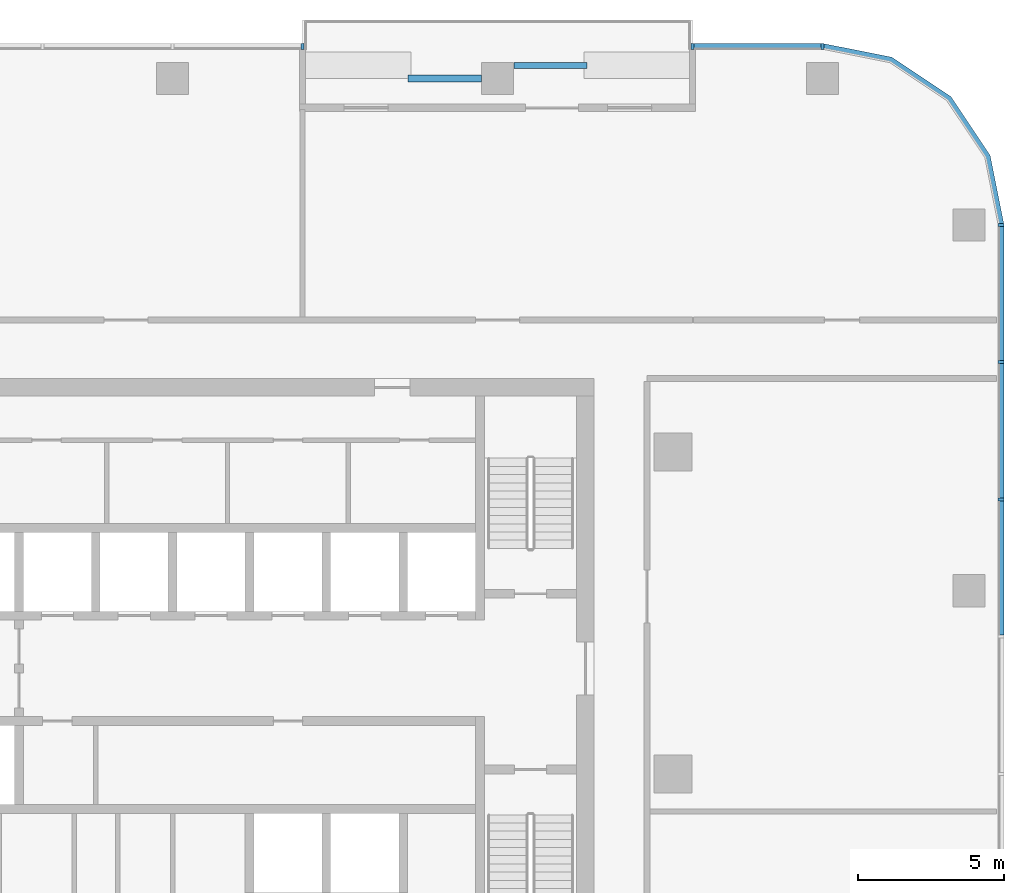
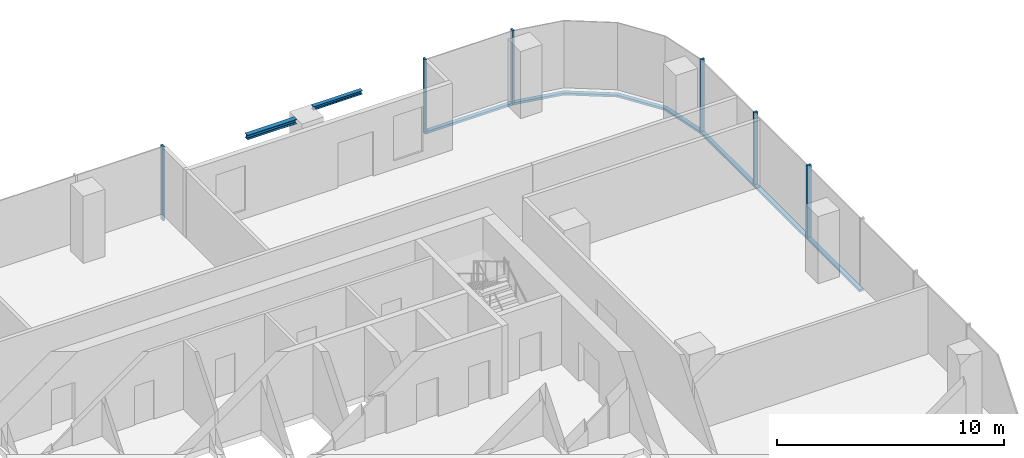
# One storey, part 5 of 14: 11 members, 2 beams, 4 elements without a shape of their own.
"""IFC4 building model written with IfcOpenShell, lengths in metres."""

from ifc_helpers import new_model, si_unit, direction, frame, origin, origin_2d, place, context, subcontext, project, spatial, polyline, rectangle, i_section, outline, extrude, material, material_profile, profile_set, type_object, element, aggregate, save


model = new_model("IFC4")

# Units and contexts
model_context = context("Model", 3, precision=1e-05, world=origin(), true_north=direction((0.0, 1.0)))
body_context = subcontext(model_context, "Body", "Model", "MODEL_VIEW")
ifc_project = project(units=[si_unit("LENGTHUNIT", "METRE"), si_unit("AREAUNIT", "SQUARE_METRE"), si_unit("VOLUMEUNIT", "CUBIC_METRE"), si_unit("PLANEANGLEUNIT", "RADIAN"), si_unit("MASSUNIT", "GRAM", prefix="KILO")], contexts=[model_context])

# Site, building, storey
site_placement = place(None, origin())
site = spatial("IfcSite", under=ifc_project, at=site_placement, CompositionType="ELEMENT")
building_placement = place(site_placement, origin())
building = spatial("IfcBuilding", under=site, at=building_placement, Name="Mopane Tessera Tower", CompositionType="ELEMENT")
storey_placement = place(building_placement, frame((0.0, 0.0, 243.0)))
storey = spatial("IfcBuildingStorey", under=building, at=storey_placement, Name="L52", CompositionType="ELEMENT", Elevation=243.0)

# Curtain wall, members
ifc_material_1 = material(Name="Aluminium frame", Category="aluminium")
curtain_wall_type = type_object("IfcCurtainWallType", Name="Unitised curtain wall", PredefinedType="NOTDEFINED", material=ifc_material_1)
curtain_wall_1_placement = place(storey_placement, origin())
curtain_wall_1 = element("IfcCurtainWall", 1, at=curtain_wall_1_placement, inside=storey, type_object=curtain_wall_type, Name="e:cw:L52:E:0", PredefinedType="NOTDEFINED")
ifc_material_2 = material(Name="Aluminium frame", Category="aluminium")
ifc_material_profile_1 = material_profile(ifc_material_2, rectangle(XDim=0.10009765625, YDim=0.199951171875, at=origin_2d()))
ifc_profile_set_1 = profile_set([ifc_material_profile_1], Name="Aluminium frame")
member_type_1 = type_object("IfcMemberType", Name="Aluminium mullion 100 x 200", PredefinedType="MULLION", material=ifc_profile_set_1)
member_1_placement = place(storey_placement, frame((28.300048828125, 9.375, -0.39990234375), z_axis=(0.0, 0.0, 1.0), x_axis=(0.0, 1.0, 0.0)))
member_1 = element("IfcMember", 2, at=member_1_placement, type_object=member_type_1, Name="e:cw:L52:E:0:mu6", PredefinedType="MULLION", context=body_context, shape_type="SweptSolid", body=[
    extrude(rectangle(XDim=0.10009765625, YDim=0.199951171875, at=origin_2d()), origin(), (0.0, 0.0, 1.0), 4.0),
])
member_2_placement = place(storey_placement, frame((28.300048828125, 14.0625, -0.39990234375), z_axis=(0.0, 0.0, 1.0), x_axis=(0.0, 1.0, 0.0)))
member_2 = element("IfcMember", 3, at=member_2_placement, type_object=member_type_1, Name="e:cw:L52:E:0:mu7", PredefinedType="MULLION", context=body_context, shape_type="SweptSolid", body=[
    extrude(rectangle(XDim=0.10009765625, YDim=0.199951171875, at=origin_2d()), origin(), (0.0, 0.0, 1.0), 4.0),
])
member_3_placement = place(storey_placement, frame((28.300048828125, 18.75, -0.39990234375), z_axis=(0.0, 0.0, 1.0), x_axis=(0.0, 1.0, 0.0)))
member_3 = element("IfcMember", 4, at=member_3_placement, type_object=member_type_1, Name="e:cw:L52:E:0:mu8", PredefinedType="MULLION", context=body_context, shape_type="SweptSolid", body=[
    extrude(rectangle(XDim=0.10009765625, YDim=0.199951171875, at=origin_2d()), origin(), (0.0, 0.0, 1.0), 4.0),
])

curtain_wall_2_placement = place(storey_placement, origin())
curtain_wall_2 = element("IfcCurtainWall", 5, at=curtain_wall_2_placement, inside=storey, type_object=curtain_wall_type, Name="e:cw:L52:N:0", PredefinedType="NOTDEFINED")
member_4_placement = place(storey_placement, frame((22.199951171875, 24.85009765625, -0.39990234375), z_axis=(0.0, 0.0, 1.0), x_axis=(-1.0, 0.0, 0.0)))
member_4 = element("IfcMember", 6, at=member_4_placement, type_object=member_type_1, Name="e:cw:L52:N:0:mu0", PredefinedType="MULLION", context=body_context, shape_type="SweptSolid", body=[
    extrude(rectangle(XDim=0.10009765625, YDim=0.199951171875, at=origin_2d()), origin(), (0.0, 0.0, 1.0), 4.0),
])
member_5_placement = place(storey_placement, frame((17.760009765625, 24.85009765625, -0.39990234375), z_axis=(0.0, 0.0, 1.0), x_axis=(-1.0, 0.0, 0.0)))
member_5 = element("IfcMember", 7, at=member_5_placement, type_object=member_type_1, Name="e:cw:L52:N:0:mu1", PredefinedType="MULLION", context=body_context, shape_type="SweptSolid", body=[
    extrude(rectangle(XDim=0.10009765625, YDim=0.199951171875, at=origin_2d()), origin(), (0.0, 0.0, 1.0), 4.0),
])

# Curtain wall, member
curtain_wall_3_placement = place(storey_placement, origin())
curtain_wall_3 = element("IfcCurtainWall", 8, at=curtain_wall_3_placement, inside=storey, type_object=curtain_wall_type, Name="e:cw:L52:N:4", PredefinedType="NOTDEFINED")
member_6_placement = place(storey_placement, frame((4.43994140625, 24.85009765625, -0.39990234375), z_axis=(0.0, 0.0, 1.0), x_axis=(-1.0, 0.0, 0.0)))
member_6 = element("IfcMember", 9, at=member_6_placement, type_object=member_type_1, Name="e:cw:L52:N:4:mu4", PredefinedType="MULLION", context=body_context, shape_type="SweptSolid", body=[
    extrude(rectangle(XDim=0.10009765625, YDim=0.199951171875, at=origin_2d()), origin(), (0.0, 0.0, 1.0), 4.0),
])
aggregate(curtain_wall_3, [member_6])

# Member
ifc_material_3 = material(Name="Aluminium frame", Category="aluminium")
ifc_material_profile_2 = material_profile(ifc_material_3, rectangle(XDim=0.199951171875, YDim=0.1201171875, at=origin_2d()))
ifc_profile_set_2 = profile_set([ifc_material_profile_2], Name="Aluminium frame")
member_type_2 = type_object("IfcMemberType", Name="Aluminium transom 200 x 120", PredefinedType="USERDEFINED", material=ifc_profile_set_2)
member_7_placement = place(storey_placement, frame((28.300048828125, 4.737548828125, -0.340087890625), z_axis=(0.0, 1.0, 0.0), x_axis=(-1.0, 0.0, 0.0)))
member_7 = element("IfcMember", 10, at=member_7_placement, type_object=member_type_2, Name="e:cw:L52:E:0:tr5", ObjectType="TRANSOM", PredefinedType="USERDEFINED", context=body_context, shape_type="SweptSolid", body=[
    extrude(rectangle(XDim=0.199951171875, YDim=0.1201171875, at=origin_2d()), origin(), (0.0, 0.0, 1.0), 4.58740234375),
])

member_8_placement = place(storey_placement, frame((28.300048828125, 9.425048828125, -0.340087890625), z_axis=(0.0, 1.0, 0.0), x_axis=(-1.0, 0.0, 0.0)))
member_8 = element("IfcMember", 11, at=member_8_placement, type_object=member_type_2, Name="e:cw:L52:E:0:tr6", ObjectType="TRANSOM", PredefinedType="USERDEFINED", context=body_context, shape_type="SweptSolid", body=[
    extrude(rectangle(XDim=0.199951171875, YDim=0.1201171875, at=origin_2d()), origin(), (0.0, 0.0, 1.0), 4.58740234375),
])

member_9_placement = place(storey_placement, frame((28.300048828125, 14.112548828125, -0.340087890625), z_axis=(0.0, 1.0, 0.0), x_axis=(-1.0, 0.0, 0.0)))
member_9 = element("IfcMember", 12, at=member_9_placement, type_object=member_type_2, Name="e:cw:L52:E:0:tr7", ObjectType="TRANSOM", PredefinedType="USERDEFINED", context=body_context, shape_type="SweptSolid", body=[
    extrude(rectangle(XDim=0.199951171875, YDim=0.1201171875, at=origin_2d()), origin(), (0.0, 0.0, 1.0), 4.58740234375),
])

aggregate(curtain_wall_1, [member_1, member_2, member_3, member_7, member_8, member_9])

# Curtain wall, member
curtain_wall_4_placement = place(storey_placement, origin())
curtain_wall_4 = element("IfcCurtainWall", 13, at=curtain_wall_4_placement, inside=storey, type_object=curtain_wall_type, Name="e:cw:L52:CE", PredefinedType="NOTDEFINED")
member_10_placement = place(storey_placement, frame((0.0, 0.0, -0.39990234375)))
member_10 = element("IfcMember", 14, at=member_10_placement, type_object=member_type_2, Name="e:cw:L52:CE:tr", ObjectType="TRANSOM", PredefinedType="USERDEFINED", context=body_context, shape_type="SweptSolid", body=[
    extrude(outline(polyline([(28.199951171875, 18.75), (27.7431640625, 21.046142578125), (26.442626953125, 22.99267578125), (24.49609375, 24.293212890625), (22.199951171875, 24.75), (22.199951171875, 24.949951171875), (24.57275390625, 24.47802734375), (26.583984375, 23.134033203125), (27.927978515625, 21.12255859375), (28.39990234375, 18.75), (28.199951171875, 18.75)])), origin(), (0.0, 0.0, 1.0), 0.119873046875),
])
aggregate(curtain_wall_4, [member_10])

# Member
member_11_placement = place(storey_placement, frame((22.14990234375, 24.85009765625, -0.340087890625), z_axis=(-1.0, 0.0, 0.0), x_axis=(0.0, -1.0, 0.0)))
member_11 = element("IfcMember", 15, at=member_11_placement, type_object=member_type_2, Name="e:cw:L52:N:0:tr0", ObjectType="TRANSOM", PredefinedType="USERDEFINED", context=body_context, shape_type="SweptSolid", body=[
    extrude(rectangle(XDim=0.199951171875, YDim=0.1201171875, at=origin_2d()), origin(), (0.0, 0.0, 1.0), 4.33984375),
])

aggregate(curtain_wall_2, [member_4, member_5, member_11])

# Beams
ifc_material_4 = material(Name="Structural steel S460", Category="steel")
ifc_material_profile_3 = material_profile(ifc_material_4, i_section(OverallWidth=0.239990234375, OverallDepth=0.239990234375, WebThickness=0.010009765625, FlangeThickness=0.01708984375, FilletRadius=0.02099609375, at=origin_2d()))
ifc_profile_set_3 = profile_set([ifc_material_profile_3], Name="Structural steel S460")
beam_type_1 = type_object("IfcBeamType", Name="Terrace spandrel beam HE 240 B", PredefinedType="SPANDREL", material=ifc_profile_set_3)
beam_1_placement = place(storey_placement, frame((10.547119140625, 23.75, 3.47998046875), z_axis=(-1.0, 0.0, 0.0), x_axis=(0.0, -1.0, 0.0)))
element("IfcBeam", 16, at=beam_1_placement, inside=storey, type_object=beam_type_1, Name="Terrace spandrel beam N2 L53", PredefinedType="SPANDREL", context=body_context, shape_type="SweptSolid", body=[
    extrude(i_section(OverallWidth=0.239990234375, OverallDepth=0.239990234375, WebThickness=0.010009765625, FlangeThickness=0.01708984375, FilletRadius=0.02099609375, at=origin_2d()), origin(), (0.0, 0.0, 1.0), 2.5),
])
ifc_material_5 = material(Name="Structural steel S460", Category="steel")
ifc_material_profile_4 = material_profile(ifc_material_5, i_section(OverallWidth=0.199951171875, OverallDepth=0.199951171875, WebThickness=0.009033203125, FlangeThickness=0.014892578125, FilletRadius=0.01806640625, at=origin_2d()))
ifc_profile_set_4 = profile_set([ifc_material_profile_4], Name="Structural steel S460")
beam_type_2 = type_object("IfcBeamType", Name="Terrace trimmer beam HE 200 B", PredefinedType="BEAM", material=ifc_profile_set_4)
beam_2_placement = place(storey_placement, frame((11.653076171875, 24.18994140625, 3.5), z_axis=(1.0, 0.0, 0.0), x_axis=(0.0, 1.0, 0.0)))
element("IfcBeam", 17, at=beam_2_placement, inside=storey, type_object=beam_type_2, Name="Terrace trimmer beam N2 L53", PredefinedType="BEAM", context=body_context, shape_type="SweptSolid", body=[
    extrude(i_section(OverallWidth=0.199951171875, OverallDepth=0.199951171875, WebThickness=0.009033203125, FlangeThickness=0.014892578125, FilletRadius=0.01806640625, at=origin_2d()), origin(), (0.0, 0.0, 1.0), 2.5),
])

save(model, "model.ifc")
